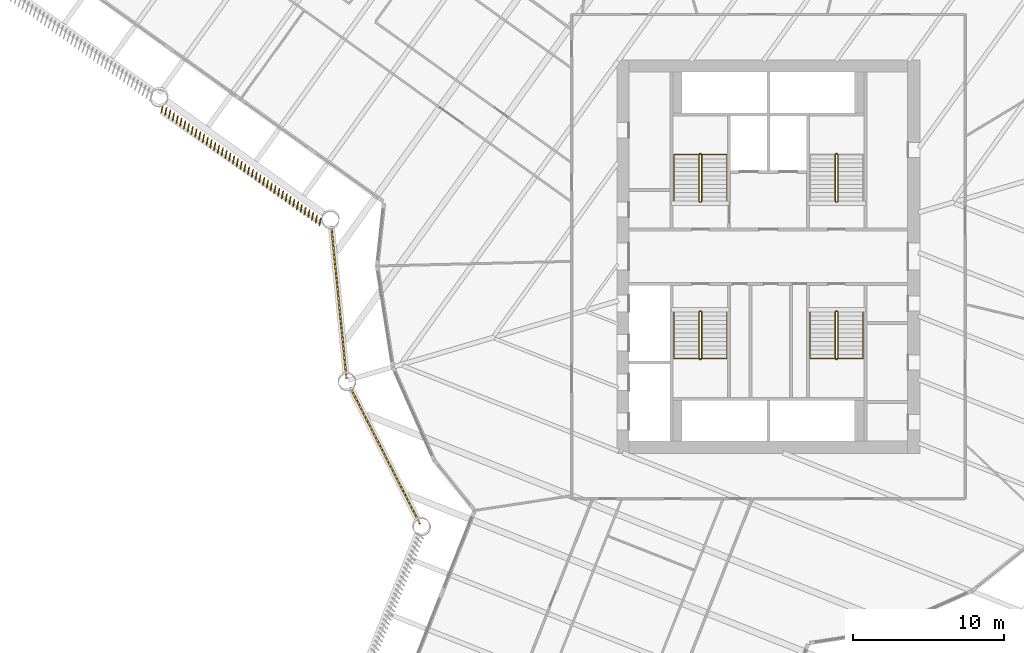
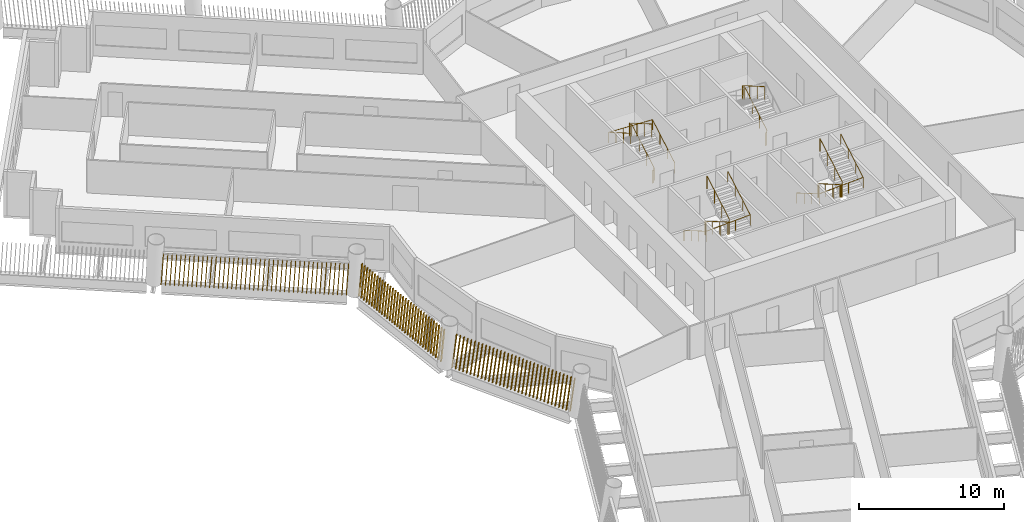
# One storey, part 13 of 17: 7 railings, 3 shading devices.
"""IFC4 building model written with IfcOpenShell, lengths in metres."""

from ifc_helpers import new_model, si_unit, direction, frame, frame_2d, origin, origin_2d, place, context, subcontext, project, spatial, rectangle, circle, composite_profile, extrude, material, type_object, element, save


model = new_model("IFC4")

# Units and contexts
model_context = context("Model", 3, precision=1e-05, world=origin(), true_north=direction((0.0, 1.0)))
body_context = subcontext(model_context, "Body", "Model", "MODEL_VIEW")
ifc_project = project(units=[si_unit("LENGTHUNIT", "METRE"), si_unit("AREAUNIT", "SQUARE_METRE"), si_unit("VOLUMEUNIT", "CUBIC_METRE"), si_unit("PLANEANGLEUNIT", "RADIAN"), si_unit("MASSUNIT", "GRAM", prefix="KILO")], contexts=[model_context])

# Site, building, storey
site_placement = place(None, origin())
site = spatial("IfcSite", under=ifc_project, at=site_placement, CompositionType="ELEMENT")
building_placement = place(site_placement, origin())
building = spatial("IfcBuilding", under=site, at=building_placement, Name="Tarsis Ring Headquarters", CompositionType="ELEMENT")
storey_placement = place(building_placement, frame((0.0, 0.0, 127.89990234375)))
storey = spatial("IfcBuildingStorey", under=building, at=storey_placement, Name="L29", CompositionType="ELEMENT", Elevation=127.89990234375)

# Railings
ifc_material_1 = material(Name="Steel S355", Category="steel")
railing_type_1 = type_object("IfcRailingType", Name="Core stair guard 1100", PredefinedType="GUARDRAIL", material=ifc_material_1)
railing_1_placement = place(storey_placement, frame((-4.5400390625, 3.610107421875, 0.0)))
element("IfcRailing", 1, at=railing_1_placement, inside=storey, type_object=railing_type_1, Name="L29 ST1 stair guard 1", PredefinedType="GUARDRAIL", context=body_context, shape_type="SweptSolid", body=[
    extrude(circle(Radius=0.02392578125, at=origin_2d()), frame((0.0, 0.0, 1.076171875), z_axis=(1.0, 0.0, 0.0), x_axis=(0.0, 1.0, 0.0)), (0.0, 0.0, 1.0), 0.080078125),
    extrude(circle(Radius=0.02392578125, at=origin_2d()), frame((0.080078125, 0.0, 1.076171875), z_axis=(0.282336740067, 0.280959487676, 0.917250092119), x_axis=(-0.705375805398, 0.708833529934, 0.0)), (0.0, 0.0, 1.0), 0.17724609375),
    extrude(circle(Radius=0.02392578125, at=origin_2d()), frame((0.130126953125, 0.0498046875, 1.23876953125), z_axis=(0.0, 0.864890721111, 0.501960198159), x_axis=(-1.0, 0.0, 0.0)), (0.0, 0.0, 1.0), 3.561279296875),
    extrude(circle(Radius=0.02392578125, at=origin_2d()), frame((0.130126953125, 3.1298828125, 3.0263671875), z_axis=(-0.707106781187, 0.707106781187, 0.0), x_axis=(-0.707106781187, -0.707106781187, 0.0)), (0.0, 0.0, 1.0), 0.07080078125),
    extrude(circle(Radius=0.02392578125, at=origin_2d()), frame((0.080078125, 3.179931640625, 3.0263671875), z_axis=(-1.0, 0.0, 0.0), x_axis=(0.0, -1.0, 0.0)), (0.0, 0.0, 1.0), 0.080078125),
    extrude(circle(Radius=0.02392578125, at=origin_2d()), frame((0.0, 3.179931640625, 3.0263671875), z_axis=(-0.282583949758, -0.282583949758, 0.916674763849), x_axis=(0.707106781187, -0.707106781187, 0.0)), (0.0, 0.0, 1.0), 0.177001953125),
    extrude(circle(Radius=0.02392578125, at=origin_2d()), frame((-0.050048828125, 3.1298828125, 3.1884765625), z_axis=(0.0, -0.864890721111, 0.501960198159), x_axis=(1.0, 0.0, 0.0)), (0.0, 0.0, 1.0), 3.561279296875),
    extrude(circle(Radius=0.02099609375, at=origin_2d()), origin(), (0.0, 0.0, 1.0), 1.052001953125),
    extrude(circle(Radius=0.02099609375, at=origin_2d()), frame((0.080078125, 0.0, 0.0)), (0.0, 0.0, 1.0), 1.052001953125),
    extrude(circle(Radius=0.02099609375, at=origin_2d()), frame((0.130126953125, 0.0498046875, 0.16259765625)), (0.0, 0.0, 1.0), 1.052001953125),
    extrude(circle(Radius=0.02099609375, at=origin_2d()), frame((0.130126953125, 1.076416015625, 0.758544921875)), (0.0, 0.0, 1.0), 1.052001953125),
    extrude(circle(Radius=0.02099609375, at=origin_2d()), frame((0.130126953125, 2.103271484375, 1.354248046875)), (0.0, 0.0, 1.0), 1.052001953125),
    extrude(circle(Radius=0.02099609375, at=origin_2d()), frame((0.130126953125, 3.1298828125, 1.9501953125)), (0.0, 0.0, 1.0), 1.052001953125),
    extrude(circle(Radius=0.02099609375, at=origin_2d()), frame((0.080078125, 3.179931640625, 1.9501953125)), (0.0, 0.0, 1.0), 1.052001953125),
    extrude(circle(Radius=0.02099609375, at=origin_2d()), frame((0.0, 3.179931640625, 1.9501953125)), (0.0, 0.0, 1.0), 1.052001953125),
    extrude(circle(Radius=0.02099609375, at=origin_2d()), frame((-0.050048828125, 3.1298828125, 2.112548828125)), (0.0, 0.0, 1.0), 1.052001953125),
    extrude(circle(Radius=0.02099609375, at=origin_2d()), frame((-0.050048828125, 2.103271484375, 2.70849609375)), (0.0, 0.0, 1.0), 1.052001953125),
    extrude(circle(Radius=0.02099609375, at=origin_2d()), frame((-0.050048828125, 1.076416015625, 3.30419921875)), (0.0, 0.0, 1.0), 1.052001953125),
    extrude(circle(Radius=0.02099609375, at=origin_2d()), frame((-0.050048828125, 0.0498046875, 3.900146484375)), (0.0, 0.0, 1.0), 1.052001953125),
])
railing_2_placement = place(storey_placement, frame((4.4599609375, 3.610107421875, 0.0)))
element("IfcRailing", 2, at=railing_2_placement, inside=storey, type_object=railing_type_1, Name="L29 ST2 stair guard 1", PredefinedType="GUARDRAIL", context=body_context, shape_type="SweptSolid", body=[
    extrude(circle(Radius=0.02392578125, at=origin_2d()), frame((0.0, 0.0, 1.076171875), z_axis=(1.0, 0.0, 0.0), x_axis=(0.0, 1.0, 0.0)), (0.0, 0.0, 1.0), 0.080078125),
    extrude(circle(Radius=0.02392578125, at=origin_2d()), frame((0.080078125, 0.0, 1.076171875), z_axis=(0.282336740067, 0.280959487676, 0.917250092119), x_axis=(-0.705375805398, 0.708833529934, 0.0)), (0.0, 0.0, 1.0), 0.17724609375),
    extrude(circle(Radius=0.02392578125, at=origin_2d()), frame((0.130126953125, 0.0498046875, 1.23876953125), z_axis=(0.0, 0.864890721111, 0.501960198159), x_axis=(-1.0, 0.0, 0.0)), (0.0, 0.0, 1.0), 3.561279296875),
    extrude(circle(Radius=0.02392578125, at=origin_2d()), frame((0.130126953125, 3.1298828125, 3.0263671875), z_axis=(-0.707106781187, 0.707106781187, 0.0), x_axis=(-0.707106781187, -0.707106781187, 0.0)), (0.0, 0.0, 1.0), 0.07080078125),
    extrude(circle(Radius=0.02392578125, at=origin_2d()), frame((0.080078125, 3.179931640625, 3.0263671875), z_axis=(-1.0, 0.0, 0.0), x_axis=(0.0, -1.0, 0.0)), (0.0, 0.0, 1.0), 0.080078125),
    extrude(circle(Radius=0.02392578125, at=origin_2d()), frame((0.0, 3.179931640625, 3.0263671875), z_axis=(-0.282583949758, -0.282583949758, 0.916674763849), x_axis=(0.707106781187, -0.707106781187, 0.0)), (0.0, 0.0, 1.0), 0.177001953125),
    extrude(circle(Radius=0.02392578125, at=origin_2d()), frame((-0.050048828125, 3.1298828125, 3.1884765625), z_axis=(0.0, -0.864890721111, 0.501960198159), x_axis=(1.0, 0.0, 0.0)), (0.0, 0.0, 1.0), 3.561279296875),
    extrude(circle(Radius=0.02099609375, at=origin_2d()), origin(), (0.0, 0.0, 1.0), 1.052001953125),
    extrude(circle(Radius=0.02099609375, at=origin_2d()), frame((0.080078125, 0.0, 0.0)), (0.0, 0.0, 1.0), 1.052001953125),
    extrude(circle(Radius=0.02099609375, at=origin_2d()), frame((0.130126953125, 0.0498046875, 0.16259765625)), (0.0, 0.0, 1.0), 1.052001953125),
    extrude(circle(Radius=0.02099609375, at=origin_2d()), frame((0.130126953125, 1.076416015625, 0.758544921875)), (0.0, 0.0, 1.0), 1.052001953125),
    extrude(circle(Radius=0.02099609375, at=origin_2d()), frame((0.130126953125, 2.103271484375, 1.354248046875)), (0.0, 0.0, 1.0), 1.052001953125),
    extrude(circle(Radius=0.02099609375, at=origin_2d()), frame((0.130126953125, 3.1298828125, 1.9501953125)), (0.0, 0.0, 1.0), 1.052001953125),
    extrude(circle(Radius=0.02099609375, at=origin_2d()), frame((0.080078125, 3.179931640625, 1.9501953125)), (0.0, 0.0, 1.0), 1.052001953125),
    extrude(circle(Radius=0.02099609375, at=origin_2d()), frame((0.0, 3.179931640625, 1.9501953125)), (0.0, 0.0, 1.0), 1.052001953125),
    extrude(circle(Radius=0.02099609375, at=origin_2d()), frame((-0.050048828125, 3.1298828125, 2.112548828125)), (0.0, 0.0, 1.0), 1.052001953125),
    extrude(circle(Radius=0.02099609375, at=origin_2d()), frame((-0.050048828125, 2.103271484375, 2.70849609375)), (0.0, 0.0, 1.0), 1.052001953125),
    extrude(circle(Radius=0.02099609375, at=origin_2d()), frame((-0.050048828125, 1.076416015625, 3.30419921875)), (0.0, 0.0, 1.0), 1.052001953125),
    extrude(circle(Radius=0.02099609375, at=origin_2d()), frame((-0.050048828125, 0.0498046875, 3.900146484375)), (0.0, 0.0, 1.0), 1.052001953125),
])
railing_3_placement = place(storey_placement, frame((-4.4599609375, -3.610107421875, 0.0)))
element("IfcRailing", 3, at=railing_3_placement, inside=storey, type_object=railing_type_1, Name="L29 ST3 stair guard 1", PredefinedType="GUARDRAIL", context=body_context, shape_type="SweptSolid", body=[
    extrude(circle(Radius=0.02392578125, at=origin_2d()), frame((0.0, 0.0, 1.076171875), z_axis=(-1.0, 0.0, 0.0), x_axis=(0.0, -1.0, 0.0)), (0.0, 0.0, 1.0), 0.080078125),
    extrude(circle(Radius=0.02392578125, at=origin_2d()), frame((-0.080078125, 0.0, 1.076171875), z_axis=(-0.282336740067, -0.280959487676, 0.917250092119), x_axis=(0.705375805398, -0.708833529934, 0.0)), (0.0, 0.0, 1.0), 0.17724609375),
    extrude(circle(Radius=0.02392578125, at=origin_2d()), frame((-0.130126953125, -0.0498046875, 1.23876953125), z_axis=(0.0, -0.864890721111, 0.501960198159), x_axis=(1.0, 0.0, 0.0)), (0.0, 0.0, 1.0), 3.561279296875),
    extrude(circle(Radius=0.02392578125, at=origin_2d()), frame((-0.130126953125, -3.1298828125, 3.0263671875), z_axis=(0.707106781187, -0.707106781187, 0.0), x_axis=(0.707106781187, 0.707106781187, 0.0)), (0.0, 0.0, 1.0), 0.07080078125),
    extrude(circle(Radius=0.02392578125, at=origin_2d()), frame((-0.080078125, -3.179931640625, 3.0263671875), z_axis=(1.0, 0.0, 0.0), x_axis=(0.0, 1.0, 0.0)), (0.0, 0.0, 1.0), 0.080078125),
    extrude(circle(Radius=0.02392578125, at=origin_2d()), frame((0.0, -3.179931640625, 3.0263671875), z_axis=(0.282583949758, 0.282583949758, 0.916674763849), x_axis=(-0.707106781187, 0.707106781187, 0.0)), (0.0, 0.0, 1.0), 0.177001953125),
    extrude(circle(Radius=0.02392578125, at=origin_2d()), frame((0.050048828125, -3.1298828125, 3.1884765625), z_axis=(0.0, 0.864890721111, 0.501960198159), x_axis=(-1.0, 0.0, 0.0)), (0.0, 0.0, 1.0), 3.561279296875),
    extrude(circle(Radius=0.02099609375, at=origin_2d()), origin(), (0.0, 0.0, 1.0), 1.052001953125),
    extrude(circle(Radius=0.02099609375, at=origin_2d()), frame((-0.080078125, 0.0, 0.0)), (0.0, 0.0, 1.0), 1.052001953125),
    extrude(circle(Radius=0.02099609375, at=origin_2d()), frame((-0.130126953125, -0.0498046875, 0.16259765625)), (0.0, 0.0, 1.0), 1.052001953125),
    extrude(circle(Radius=0.02099609375, at=origin_2d()), frame((-0.130126953125, -1.076416015625, 0.758544921875)), (0.0, 0.0, 1.0), 1.052001953125),
    extrude(circle(Radius=0.02099609375, at=origin_2d()), frame((-0.130126953125, -2.103271484375, 1.354248046875)), (0.0, 0.0, 1.0), 1.052001953125),
    extrude(circle(Radius=0.02099609375, at=origin_2d()), frame((-0.130126953125, -3.1298828125, 1.9501953125)), (0.0, 0.0, 1.0), 1.052001953125),
    extrude(circle(Radius=0.02099609375, at=origin_2d()), frame((-0.080078125, -3.179931640625, 1.9501953125)), (0.0, 0.0, 1.0), 1.052001953125),
    extrude(circle(Radius=0.02099609375, at=origin_2d()), frame((0.0, -3.179931640625, 1.9501953125)), (0.0, 0.0, 1.0), 1.052001953125),
    extrude(circle(Radius=0.02099609375, at=origin_2d()), frame((0.050048828125, -3.1298828125, 2.112548828125)), (0.0, 0.0, 1.0), 1.052001953125),
    extrude(circle(Radius=0.02099609375, at=origin_2d()), frame((0.050048828125, -2.103271484375, 2.70849609375)), (0.0, 0.0, 1.0), 1.052001953125),
    extrude(circle(Radius=0.02099609375, at=origin_2d()), frame((0.050048828125, -1.076416015625, 3.30419921875)), (0.0, 0.0, 1.0), 1.052001953125),
    extrude(circle(Radius=0.02099609375, at=origin_2d()), frame((0.050048828125, -0.0498046875, 3.900146484375)), (0.0, 0.0, 1.0), 1.052001953125),
])
railing_4_placement = place(storey_placement, frame((4.5400390625, -3.610107421875, 0.0)))
element("IfcRailing", 4, at=railing_4_placement, inside=storey, type_object=railing_type_1, Name="L29 ST4 stair guard 1", PredefinedType="GUARDRAIL", context=body_context, shape_type="SweptSolid", body=[
    extrude(circle(Radius=0.02392578125, at=origin_2d()), frame((0.0, 0.0, 1.076171875), z_axis=(-1.0, 0.0, 0.0), x_axis=(0.0, -1.0, 0.0)), (0.0, 0.0, 1.0), 0.080078125),
    extrude(circle(Radius=0.02392578125, at=origin_2d()), frame((-0.080078125, 0.0, 1.076171875), z_axis=(-0.282336740067, -0.280959487676, 0.917250092119), x_axis=(0.705375805398, -0.708833529934, 0.0)), (0.0, 0.0, 1.0), 0.17724609375),
    extrude(circle(Radius=0.02392578125, at=origin_2d()), frame((-0.130126953125, -0.0498046875, 1.23876953125), z_axis=(0.0, -0.864890721111, 0.501960198159), x_axis=(1.0, 0.0, 0.0)), (0.0, 0.0, 1.0), 3.561279296875),
    extrude(circle(Radius=0.02392578125, at=origin_2d()), frame((-0.130126953125, -3.1298828125, 3.0263671875), z_axis=(0.707106781187, -0.707106781187, 0.0), x_axis=(0.707106781187, 0.707106781187, 0.0)), (0.0, 0.0, 1.0), 0.07080078125),
    extrude(circle(Radius=0.02392578125, at=origin_2d()), frame((-0.080078125, -3.179931640625, 3.0263671875), z_axis=(1.0, 0.0, 0.0), x_axis=(0.0, 1.0, 0.0)), (0.0, 0.0, 1.0), 0.080078125),
    extrude(circle(Radius=0.02392578125, at=origin_2d()), frame((0.0, -3.179931640625, 3.0263671875), z_axis=(0.282583949758, 0.282583949758, 0.916674763849), x_axis=(-0.707106781187, 0.707106781187, 0.0)), (0.0, 0.0, 1.0), 0.177001953125),
    extrude(circle(Radius=0.02392578125, at=origin_2d()), frame((0.050048828125, -3.1298828125, 3.1884765625), z_axis=(0.0, 0.864890721111, 0.501960198159), x_axis=(-1.0, 0.0, 0.0)), (0.0, 0.0, 1.0), 3.561279296875),
    extrude(circle(Radius=0.02099609375, at=origin_2d()), origin(), (0.0, 0.0, 1.0), 1.052001953125),
    extrude(circle(Radius=0.02099609375, at=origin_2d()), frame((-0.080078125, 0.0, 0.0)), (0.0, 0.0, 1.0), 1.052001953125),
    extrude(circle(Radius=0.02099609375, at=origin_2d()), frame((-0.130126953125, -0.0498046875, 0.16259765625)), (0.0, 0.0, 1.0), 1.052001953125),
    extrude(circle(Radius=0.02099609375, at=origin_2d()), frame((-0.130126953125, -1.076416015625, 0.758544921875)), (0.0, 0.0, 1.0), 1.052001953125),
    extrude(circle(Radius=0.02099609375, at=origin_2d()), frame((-0.130126953125, -2.103271484375, 1.354248046875)), (0.0, 0.0, 1.0), 1.052001953125),
    extrude(circle(Radius=0.02099609375, at=origin_2d()), frame((-0.130126953125, -3.1298828125, 1.9501953125)), (0.0, 0.0, 1.0), 1.052001953125),
    extrude(circle(Radius=0.02099609375, at=origin_2d()), frame((-0.080078125, -3.179931640625, 1.9501953125)), (0.0, 0.0, 1.0), 1.052001953125),
    extrude(circle(Radius=0.02099609375, at=origin_2d()), frame((0.0, -3.179931640625, 1.9501953125)), (0.0, 0.0, 1.0), 1.052001953125),
    extrude(circle(Radius=0.02099609375, at=origin_2d()), frame((0.050048828125, -3.1298828125, 2.112548828125)), (0.0, 0.0, 1.0), 1.052001953125),
    extrude(circle(Radius=0.02099609375, at=origin_2d()), frame((0.050048828125, -2.103271484375, 2.70849609375)), (0.0, 0.0, 1.0), 1.052001953125),
    extrude(circle(Radius=0.02099609375, at=origin_2d()), frame((0.050048828125, -1.076416015625, 3.30419921875)), (0.0, 0.0, 1.0), 1.052001953125),
    extrude(circle(Radius=0.02099609375, at=origin_2d()), frame((0.050048828125, -0.0498046875, 3.900146484375)), (0.0, 0.0, 1.0), 1.052001953125),
])
railing_type_2 = type_object("IfcRailingType", Name="Core stair handrail 900", PredefinedType="HANDRAIL", material=ifc_material_1)
railing_5_placement = place(storey_placement, frame((-2.75, 3.659912109375, 0.16259765625)))
element("IfcRailing", 5, at=railing_5_placement, inside=storey, type_object=railing_type_2, Name="L29 ST1 stair handrail 1", PredefinedType="HANDRAIL", context=body_context, shape_type="SweptSolid", body=[
    extrude(circle(Radius=0.02392578125, at=origin_2d()), frame((0.0, 0.0, 0.8759765625), z_axis=(0.0, 0.864890721111, 0.501960198159), x_axis=(-1.0, 0.0, 0.0)), (0.0, 0.0, 1.0), 3.561279296875),
    extrude(circle(Radius=0.02392578125, at=origin_2d()), frame((0.0, 3.080078125, 2.66357421875), z_axis=(-0.998925869279, 0.0, 0.04633689335), x_axis=(0.0, -1.0, 0.0)), (0.0, 0.0, 1.0), 3.503662109375),
    extrude(circle(Radius=0.02392578125, at=origin_2d()), frame((-3.5, 3.080078125, 2.82568359375), z_axis=(0.0, -0.864890721111, 0.501960198159), x_axis=(1.0, 0.0, 0.0)), (0.0, 0.0, 1.0), 3.561279296875),
    extrude(circle(Radius=0.02099609375, at=origin_2d()), origin(), (0.0, 0.0, 1.0), 0.851806640625),
    extrude(circle(Radius=0.02099609375, at=origin_2d()), frame((0.0, 1.026611328125, 0.595947265625)), (0.0, 0.0, 1.0), 0.851806640625),
    extrude(circle(Radius=0.02099609375, at=origin_2d()), frame((0.0, 2.053466796875, 1.191650390625)), (0.0, 0.0, 1.0), 0.851806640625),
    extrude(circle(Radius=0.02099609375, at=origin_2d()), frame((0.0, 3.080078125, 1.78759765625)), (0.0, 0.0, 1.0), 0.851806640625),
    extrude(circle(Radius=0.02099609375, at=origin_2d()), frame((-1.166748046875, 3.080078125, 1.841796875)), (0.0, 0.0, 1.0), 0.851806640625),
    extrude(circle(Radius=0.02099609375, at=origin_2d()), frame((-2.333251953125, 3.080078125, 1.895751953125)), (0.0, 0.0, 1.0), 0.851806640625),
    extrude(circle(Radius=0.02099609375, at=origin_2d()), frame((-3.5, 3.080078125, 1.949951171875)), (0.0, 0.0, 1.0), 0.851806640625),
    extrude(circle(Radius=0.02099609375, at=origin_2d()), frame((-3.5, 2.053466796875, 2.5458984375)), (0.0, 0.0, 1.0), 0.851806640625),
    extrude(circle(Radius=0.02099609375, at=origin_2d()), frame((-3.5, 1.026611328125, 3.1416015625)), (0.0, 0.0, 1.0), 0.851806640625),
    extrude(circle(Radius=0.02099609375, at=origin_2d()), frame((-3.5, 0.0, 3.737548828125)), (0.0, 0.0, 1.0), 0.851806640625),
])
railing_6_placement = place(storey_placement, frame((-6.25, -3.659912109375, 0.16259765625)))
element("IfcRailing", 6, at=railing_6_placement, inside=storey, type_object=railing_type_2, Name="L29 ST3 stair handrail 1", PredefinedType="HANDRAIL", context=body_context, shape_type="SweptSolid", body=[
    extrude(circle(Radius=0.02392578125, at=origin_2d()), frame((0.0, 0.0, 0.8759765625), z_axis=(0.0, -0.864890721111, 0.501960198159), x_axis=(1.0, 0.0, 0.0)), (0.0, 0.0, 1.0), 3.561279296875),
    extrude(circle(Radius=0.02392578125, at=origin_2d()), frame((0.0, -3.080078125, 2.66357421875), z_axis=(0.998925869279, 0.0, 0.04633689335), x_axis=(0.0, 1.0, 0.0)), (0.0, 0.0, 1.0), 3.503662109375),
    extrude(circle(Radius=0.02392578125, at=origin_2d()), frame((3.5, -3.080078125, 2.82568359375), z_axis=(0.0, 0.864890721111, 0.501960198159), x_axis=(-1.0, 0.0, 0.0)), (0.0, 0.0, 1.0), 3.561279296875),
    extrude(circle(Radius=0.02099609375, at=origin_2d()), origin(), (0.0, 0.0, 1.0), 0.851806640625),
    extrude(circle(Radius=0.02099609375, at=origin_2d()), frame((0.0, -1.026611328125, 0.595947265625)), (0.0, 0.0, 1.0), 0.851806640625),
    extrude(circle(Radius=0.02099609375, at=origin_2d()), frame((0.0, -2.053466796875, 1.191650390625)), (0.0, 0.0, 1.0), 0.851806640625),
    extrude(circle(Radius=0.02099609375, at=origin_2d()), frame((0.0, -3.080078125, 1.78759765625)), (0.0, 0.0, 1.0), 0.851806640625),
    extrude(circle(Radius=0.02099609375, at=origin_2d()), frame((1.166748046875, -3.080078125, 1.841796875)), (0.0, 0.0, 1.0), 0.851806640625),
    extrude(circle(Radius=0.02099609375, at=origin_2d()), frame((2.333251953125, -3.080078125, 1.895751953125)), (0.0, 0.0, 1.0), 0.851806640625),
    extrude(circle(Radius=0.02099609375, at=origin_2d()), frame((3.5, -3.080078125, 1.949951171875)), (0.0, 0.0, 1.0), 0.851806640625),
    extrude(circle(Radius=0.02099609375, at=origin_2d()), frame((3.5, -2.053466796875, 2.5458984375)), (0.0, 0.0, 1.0), 0.851806640625),
    extrude(circle(Radius=0.02099609375, at=origin_2d()), frame((3.5, -1.026611328125, 3.1416015625)), (0.0, 0.0, 1.0), 0.851806640625),
    extrude(circle(Radius=0.02099609375, at=origin_2d()), frame((3.5, 0.0, 3.737548828125)), (0.0, 0.0, 1.0), 0.851806640625),
])
railing_7_placement = place(storey_placement, frame((2.75, -3.659912109375, 0.16259765625)))
element("IfcRailing", 7, at=railing_7_placement, inside=storey, type_object=railing_type_2, Name="L29 ST4 stair handrail 1", PredefinedType="HANDRAIL", context=body_context, shape_type="SweptSolid", body=[
    extrude(circle(Radius=0.02392578125, at=origin_2d()), frame((0.0, 0.0, 0.8759765625), z_axis=(0.0, -0.864890721111, 0.501960198159), x_axis=(1.0, 0.0, 0.0)), (0.0, 0.0, 1.0), 3.561279296875),
    extrude(circle(Radius=0.02392578125, at=origin_2d()), frame((0.0, -3.080078125, 2.66357421875), z_axis=(0.998925869279, 0.0, 0.04633689335), x_axis=(0.0, 1.0, 0.0)), (0.0, 0.0, 1.0), 3.503662109375),
    extrude(circle(Radius=0.02392578125, at=origin_2d()), frame((3.5, -3.080078125, 2.82568359375), z_axis=(0.0, 0.864890721111, 0.501960198159), x_axis=(-1.0, 0.0, 0.0)), (0.0, 0.0, 1.0), 3.561279296875),
    extrude(circle(Radius=0.02099609375, at=origin_2d()), origin(), (0.0, 0.0, 1.0), 0.851806640625),
    extrude(circle(Radius=0.02099609375, at=origin_2d()), frame((0.0, -1.026611328125, 0.595947265625)), (0.0, 0.0, 1.0), 0.851806640625),
    extrude(circle(Radius=0.02099609375, at=origin_2d()), frame((0.0, -2.053466796875, 1.191650390625)), (0.0, 0.0, 1.0), 0.851806640625),
    extrude(circle(Radius=0.02099609375, at=origin_2d()), frame((0.0, -3.080078125, 1.78759765625)), (0.0, 0.0, 1.0), 0.851806640625),
    extrude(circle(Radius=0.02099609375, at=origin_2d()), frame((1.166748046875, -3.080078125, 1.841796875)), (0.0, 0.0, 1.0), 0.851806640625),
    extrude(circle(Radius=0.02099609375, at=origin_2d()), frame((2.333251953125, -3.080078125, 1.895751953125)), (0.0, 0.0, 1.0), 0.851806640625),
    extrude(circle(Radius=0.02099609375, at=origin_2d()), frame((3.5, -3.080078125, 1.949951171875)), (0.0, 0.0, 1.0), 0.851806640625),
    extrude(circle(Radius=0.02099609375, at=origin_2d()), frame((3.5, -2.053466796875, 2.5458984375)), (0.0, 0.0, 1.0), 0.851806640625),
    extrude(circle(Radius=0.02099609375, at=origin_2d()), frame((3.5, -1.026611328125, 3.1416015625)), (0.0, 0.0, 1.0), 0.851806640625),
    extrude(circle(Radius=0.02099609375, at=origin_2d()), frame((3.5, 0.0, 3.737548828125)), (0.0, 0.0, 1.0), 0.851806640625),
])

# Shading devices
ifc_material_2 = material(Name="Terracotta baguette", Category="masonry")
shading_device_type = type_object("IfcShadingDeviceType", Name="Terracotta baguette screen", PredefinedType="USERDEFINED", material=ifc_material_2)
shading_device_1_placement = place(storey_placement, frame((-27.64208984375, -8.63720703125, 0.0), z_axis=(0.0, 0.0, 1.0), x_axis=(0.45502698381, -0.890490705577, 0.0)))
element("IfcShadingDevice", 8, at=shading_device_1_placement, inside=storey, type_object=shading_device_type, Name="Baguette screen L29-00", ObjectType="Terracotta baguette screen", PredefinedType="USERDEFINED", context=body_context, shape_type="SweptSolid", body=[
    extrude(composite_profile([rectangle(XDim=0.06005859375, YDim=0.1201171875, at=frame_2d((0.030029296875, 0.0))), rectangle(XDim=0.06005859375, YDim=0.1201171875, at=frame_2d((0.33349609375, 0.0))), rectangle(XDim=0.06005859375, YDim=0.1201171875, at=frame_2d((0.636962890625, 0.0))), rectangle(XDim=0.06005859375, YDim=0.1201171875, at=frame_2d((0.9404296875, 0.0))), rectangle(XDim=0.06005859375, YDim=0.1201171875, at=frame_2d((1.243896484375, 0.0))), rectangle(XDim=0.06005859375, YDim=0.1201171875, at=frame_2d((1.54736328125, 0.0))), rectangle(XDim=0.06005859375, YDim=0.1201171875, at=frame_2d((1.850830078125, 0.0))), rectangle(XDim=0.06005859375, YDim=0.1201171875, at=frame_2d((2.154296875, 0.0))), rectangle(XDim=0.06005859375, YDim=0.1201171875, at=frame_2d((2.4580078125, 0.0))), rectangle(XDim=0.06005859375, YDim=0.1201171875, at=frame_2d((2.761474609375, 0.0))), rectangle(XDim=0.06005859375, YDim=0.1201171875, at=frame_2d((3.06494140625, 0.0))), rectangle(XDim=0.06005859375, YDim=0.1201171875, at=frame_2d((3.368408203125, 0.0))), rectangle(XDim=0.06005859375, YDim=0.1201171875, at=frame_2d((3.671875, 0.0))), rectangle(XDim=0.06005859375, YDim=0.1201171875, at=frame_2d((3.975341796875, 0.0))), rectangle(XDim=0.06005859375, YDim=0.1201171875, at=frame_2d((4.27880859375, 0.0))), rectangle(XDim=0.06005859375, YDim=0.1201171875, at=frame_2d((4.582275390625, 0.0))), rectangle(XDim=0.06005859375, YDim=0.1201171875, at=frame_2d((4.8857421875, 0.0))), rectangle(XDim=0.06005859375, YDim=0.1201171875, at=frame_2d((5.189208984375, 0.0))), rectangle(XDim=0.06005859375, YDim=0.1201171875, at=frame_2d((5.49267578125, 0.0))), rectangle(XDim=0.06005859375, YDim=0.1201171875, at=frame_2d((5.796142578125, 0.0))), rectangle(XDim=0.06005859375, YDim=0.1201171875, at=frame_2d((6.099609375, 0.0))), rectangle(XDim=0.06005859375, YDim=0.1201171875, at=frame_2d((6.403076171875, 0.0))), rectangle(XDim=0.06005859375, YDim=0.1201171875, at=frame_2d((6.70654296875, 0.0))), rectangle(XDim=0.06005859375, YDim=0.1201171875, at=frame_2d((7.010009765625, 0.0))), rectangle(XDim=0.06005859375, YDim=0.1201171875, at=frame_2d((7.3134765625, 0.0))), rectangle(XDim=0.06005859375, YDim=0.1201171875, at=frame_2d((7.6171875, 0.0))), rectangle(XDim=0.06005859375, YDim=0.1201171875, at=frame_2d((7.920654296875, 0.0))), rectangle(XDim=0.06005859375, YDim=0.1201171875, at=frame_2d((8.22412109375, 0.0))), rectangle(XDim=0.06005859375, YDim=0.1201171875, at=frame_2d((8.527587890625, 0.0))), rectangle(XDim=0.06005859375, YDim=0.1201171875, at=frame_2d((8.8310546875, 0.0))), rectangle(XDim=0.06005859375, YDim=0.1201171875, at=frame_2d((9.134521484375, 0.0))), rectangle(XDim=0.06005859375, YDim=0.1201171875, at=frame_2d((9.43798828125, 0.0))), rectangle(XDim=0.06005859375, YDim=0.1201171875, at=frame_2d((9.741455078125, 0.0)))]), origin(), (0.130482759196, 0.000884992764, 0.991450183489), 2.97802734375),
])
shading_device_2_placement = place(storey_placement, frame((-40.051513671875, 10.02734375, 0.0), z_axis=(0.0, 0.0, 1.0), x_axis=(0.812897366031, -0.582406145928, 0.0)))
element("IfcShadingDevice", 9, at=shading_device_2_placement, inside=storey, type_object=shading_device_type, Name="Baguette screen L29-20", ObjectType="Terracotta baguette screen", PredefinedType="USERDEFINED", context=body_context, shape_type="SweptSolid", body=[
    extrude(composite_profile([rectangle(XDim=0.06005859375, YDim=0.1201171875, at=frame_2d((0.030029296875, 0.0))), rectangle(XDim=0.06005859375, YDim=0.1201171875, at=frame_2d((0.335693359375, 0.0))), rectangle(XDim=0.06005859375, YDim=0.1201171875, at=frame_2d((0.6416015625, 0.0))), rectangle(XDim=0.06005859375, YDim=0.1201171875, at=frame_2d((0.947265625, 0.0))), rectangle(XDim=0.06005859375, YDim=0.1201171875, at=frame_2d((1.253173828125, 0.0))), rectangle(XDim=0.06005859375, YDim=0.1201171875, at=frame_2d((1.558837890625, 0.0))), rectangle(XDim=0.06005859375, YDim=0.1201171875, at=frame_2d((1.864501953125, 0.0))), rectangle(XDim=0.06005859375, YDim=0.1201171875, at=frame_2d((2.17041015625, 0.0))), rectangle(XDim=0.06005859375, YDim=0.1201171875, at=frame_2d((2.47607421875, 0.0))), rectangle(XDim=0.06005859375, YDim=0.1201171875, at=frame_2d((2.781982421875, 0.0))), rectangle(XDim=0.06005859375, YDim=0.1201171875, at=frame_2d((3.087646484375, 0.0))), rectangle(XDim=0.06005859375, YDim=0.1201171875, at=frame_2d((3.393310546875, 0.0))), rectangle(XDim=0.06005859375, YDim=0.1201171875, at=frame_2d((3.69921875, 0.0))), rectangle(XDim=0.06005859375, YDim=0.1201171875, at=frame_2d((4.0048828125, 0.0))), rectangle(XDim=0.06005859375, YDim=0.1201171875, at=frame_2d((4.310791015625, 0.0))), rectangle(XDim=0.06005859375, YDim=0.1201171875, at=frame_2d((4.616455078125, 0.0))), rectangle(XDim=0.06005859375, YDim=0.1201171875, at=frame_2d((4.922119140625, 0.0))), rectangle(XDim=0.06005859375, YDim=0.1201171875, at=frame_2d((5.22802734375, 0.0))), rectangle(XDim=0.06005859375, YDim=0.1201171875, at=frame_2d((5.53369140625, 0.0))), rectangle(XDim=0.06005859375, YDim=0.1201171875, at=frame_2d((5.839599609375, 0.0))), rectangle(XDim=0.06005859375, YDim=0.1201171875, at=frame_2d((6.145263671875, 0.0))), rectangle(XDim=0.06005859375, YDim=0.1201171875, at=frame_2d((6.451171875, 0.0))), rectangle(XDim=0.06005859375, YDim=0.1201171875, at=frame_2d((6.7568359375, 0.0))), rectangle(XDim=0.06005859375, YDim=0.1201171875, at=frame_2d((7.0625, 0.0))), rectangle(XDim=0.06005859375, YDim=0.1201171875, at=frame_2d((7.368408203125, 0.0))), rectangle(XDim=0.06005859375, YDim=0.1201171875, at=frame_2d((7.674072265625, 0.0))), rectangle(XDim=0.06005859375, YDim=0.1201171875, at=frame_2d((7.97998046875, 0.0))), rectangle(XDim=0.06005859375, YDim=0.1201171875, at=frame_2d((8.28564453125, 0.0))), rectangle(XDim=0.06005859375, YDim=0.1201171875, at=frame_2d((8.59130859375, 0.0))), rectangle(XDim=0.06005859375, YDim=0.1201171875, at=frame_2d((8.897216796875, 0.0))), rectangle(XDim=0.06005859375, YDim=0.1201171875, at=frame_2d((9.202880859375, 0.0))), rectangle(XDim=0.06005859375, YDim=0.1201171875, at=frame_2d((9.5087890625, 0.0))), rectangle(XDim=0.06005859375, YDim=0.1201171875, at=frame_2d((9.814453125, 0.0))), rectangle(XDim=0.06005859375, YDim=0.1201171875, at=frame_2d((10.1201171875, 0.0))), rectangle(XDim=0.06005859375, YDim=0.1201171875, at=frame_2d((10.426025390625, 0.0))), rectangle(XDim=0.06005859375, YDim=0.1201171875, at=frame_2d((10.731689453125, 0.0))), rectangle(XDim=0.06005859375, YDim=0.1201171875, at=frame_2d((11.03759765625, 0.0))), rectangle(XDim=0.06005859375, YDim=0.1201171875, at=frame_2d((11.34326171875, 0.0))), rectangle(XDim=0.06005859375, YDim=0.1201171875, at=frame_2d((11.64892578125, 0.0))), rectangle(XDim=0.06005859375, YDim=0.1201171875, at=frame_2d((11.954833984375, 0.0))), rectangle(XDim=0.06005859375, YDim=0.1201171875, at=frame_2d((12.260498046875, 0.0))), rectangle(XDim=0.06005859375, YDim=0.1201171875, at=frame_2d((12.56640625, 0.0))), rectangle(XDim=0.06005859375, YDim=0.1201171875, at=frame_2d((12.8720703125, 0.0)))]), origin(), (0.070041842062, -0.144900055555, 0.986964089651), 2.99169921875),
])
shading_device_3_placement = place(storey_placement, frame((-28.888916015625, 2.029052734375, 0.0), z_axis=(0.0, 0.0, 1.0), x_axis=(0.099237976265, -0.995053091818, 0.0)))
element("IfcShadingDevice", 10, at=shading_device_3_placement, inside=storey, type_object=shading_device_type, Name="Baguette screen L29-21", ObjectType="Terracotta baguette screen", PredefinedType="USERDEFINED", context=body_context, shape_type="SweptSolid", body=[
    extrude(composite_profile([rectangle(XDim=0.06005859375, YDim=0.1201171875, at=frame_2d((0.030029296875, 0.0))), rectangle(XDim=0.06005859375, YDim=0.1201171875, at=frame_2d((0.33349609375, 0.0))), rectangle(XDim=0.06005859375, YDim=0.1201171875, at=frame_2d((0.636962890625, 0.0))), rectangle(XDim=0.06005859375, YDim=0.1201171875, at=frame_2d((0.9404296875, 0.0))), rectangle(XDim=0.06005859375, YDim=0.1201171875, at=frame_2d((1.243896484375, 0.0))), rectangle(XDim=0.06005859375, YDim=0.1201171875, at=frame_2d((1.54736328125, 0.0))), rectangle(XDim=0.06005859375, YDim=0.1201171875, at=frame_2d((1.85107421875, 0.0))), rectangle(XDim=0.06005859375, YDim=0.1201171875, at=frame_2d((2.154541015625, 0.0))), rectangle(XDim=0.06005859375, YDim=0.1201171875, at=frame_2d((2.4580078125, 0.0))), rectangle(XDim=0.06005859375, YDim=0.1201171875, at=frame_2d((2.761474609375, 0.0))), rectangle(XDim=0.06005859375, YDim=0.1201171875, at=frame_2d((3.06494140625, 0.0))), rectangle(XDim=0.06005859375, YDim=0.1201171875, at=frame_2d((3.368408203125, 0.0))), rectangle(XDim=0.06005859375, YDim=0.1201171875, at=frame_2d((3.671875, 0.0))), rectangle(XDim=0.06005859375, YDim=0.1201171875, at=frame_2d((3.975341796875, 0.0))), rectangle(XDim=0.06005859375, YDim=0.1201171875, at=frame_2d((4.27880859375, 0.0))), rectangle(XDim=0.06005859375, YDim=0.1201171875, at=frame_2d((4.582275390625, 0.0))), rectangle(XDim=0.06005859375, YDim=0.1201171875, at=frame_2d((4.8857421875, 0.0))), rectangle(XDim=0.06005859375, YDim=0.1201171875, at=frame_2d((5.189453125, 0.0))), rectangle(XDim=0.06005859375, YDim=0.1201171875, at=frame_2d((5.492919921875, 0.0))), rectangle(XDim=0.06005859375, YDim=0.1201171875, at=frame_2d((5.79638671875, 0.0))), rectangle(XDim=0.06005859375, YDim=0.1201171875, at=frame_2d((6.099853515625, 0.0))), rectangle(XDim=0.06005859375, YDim=0.1201171875, at=frame_2d((6.4033203125, 0.0))), rectangle(XDim=0.06005859375, YDim=0.1201171875, at=frame_2d((6.706787109375, 0.0))), rectangle(XDim=0.06005859375, YDim=0.1201171875, at=frame_2d((7.01025390625, 0.0))), rectangle(XDim=0.06005859375, YDim=0.1201171875, at=frame_2d((7.313720703125, 0.0))), rectangle(XDim=0.06005859375, YDim=0.1201171875, at=frame_2d((7.6171875, 0.0))), rectangle(XDim=0.06005859375, YDim=0.1201171875, at=frame_2d((7.920654296875, 0.0))), rectangle(XDim=0.06005859375, YDim=0.1201171875, at=frame_2d((8.224365234375, 0.0))), rectangle(XDim=0.06005859375, YDim=0.1201171875, at=frame_2d((8.52783203125, 0.0))), rectangle(XDim=0.06005859375, YDim=0.1201171875, at=frame_2d((8.831298828125, 0.0))), rectangle(XDim=0.06005859375, YDim=0.1201171875, at=frame_2d((9.134765625, 0.0))), rectangle(XDim=0.06005859375, YDim=0.1201171875, at=frame_2d((9.438232421875, 0.0))), rectangle(XDim=0.06005859375, YDim=0.1201171875, at=frame_2d((9.74169921875, 0.0)))]), origin(), (0.130479734131, 0.000887536956, 0.991450579333), 2.97802734375),
])

save(model, "model.ifc")
